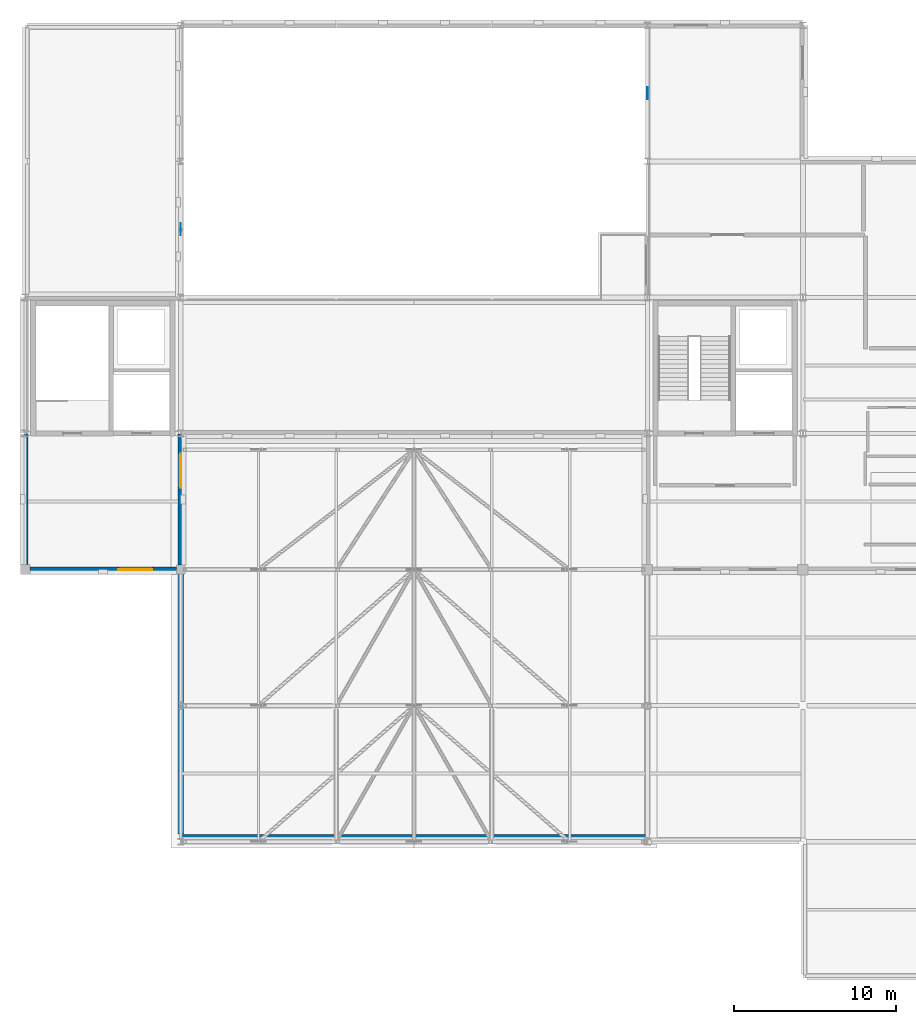
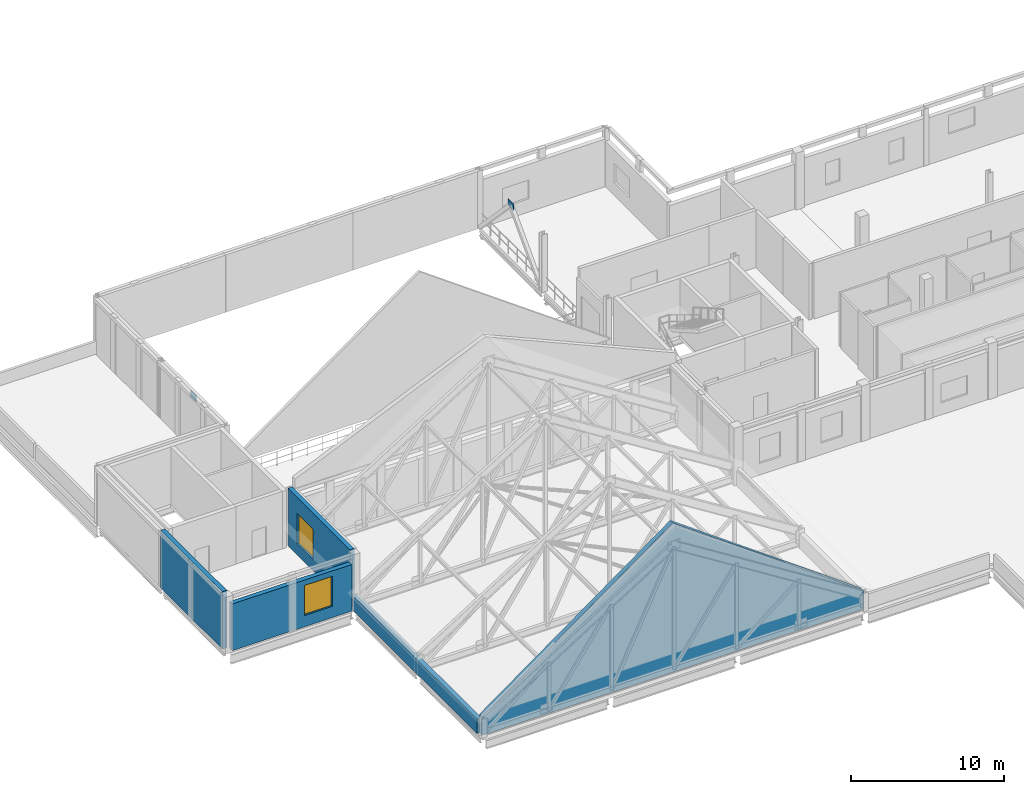
# One storey, part 21 of 26: 5 walls, 2 plates, 2 windows, 2 openings.
"""IFC4 building model written with IfcOpenShell, lengths in metres."""

from ifc_helpers import new_model, si_unit, direction, frame, frame_2d, origin, origin_2d, place, context, subcontext, project, spatial, polyline, rectangle, outline, extrude, material, layer, layer_set, type_object, element, fill, save


model = new_model("IFC4")

# Units and contexts
model_context = context("Model", 3, precision=1e-05, world=origin(), true_north=direction((0.0, 1.0)))
body_context = subcontext(model_context, "Body", "Model", "MODEL_VIEW")
ifc_project = project(units=[si_unit("LENGTHUNIT", "METRE"), si_unit("AREAUNIT", "SQUARE_METRE"), si_unit("VOLUMEUNIT", "CUBIC_METRE"), si_unit("PLANEANGLEUNIT", "RADIAN"), si_unit("MASSUNIT", "GRAM", prefix="KILO")], contexts=[model_context])

# Site, building, storey
site_placement = place(None, origin())
site = spatial("IfcSite", under=ifc_project, at=site_placement, CompositionType="ELEMENT")
building_placement = place(site_placement, origin())
building = spatial("IfcBuilding", under=site, at=building_placement, Name="Lornevale Opera House", CompositionType="ELEMENT")
storey_placement = place(building_placement, frame((0.0, 0.0, 19.800048828125)))
storey = spatial("IfcBuildingStorey", under=building, at=storey_placement, Name="L05", CompositionType="ELEMENT", Elevation=19.800048828125)

# Plates
ifc_material_1 = material(Name="Structural Steel CSA G40.21 Grade 350W (350 MPa)", Category="steel")
ifc_layer_1 = layer(ifc_material_1, 0.02392578125)
ifc_layer_set_1 = layer_set([ifc_layer_1], Name="Structural Steel CSA G40.21 Grade 350W (350 MPa)")
plate_type = type_object("IfcPlateType", Name="Chevron Brace Gusset 720x550x24", PredefinedType="USERDEFINED", material=ifc_layer_set_1)
for number, where, z_axis, x_axis, name in (
    (1, (67.199951171875, 71.39990234375, 3.955078125), (0.0, 0.0, 1.0), (0.0, 1.0, 0.0), "Chevron Brace Gusset PT-0057"),
    (2, (96.0, 79.800048828125, 4.02490234375), (0.0, 0.0, 1.0), (0.0, 1.0, 0.0), "Chevron Brace Gusset PT-0063"),
):
    element("IfcPlate", number, at=place(storey_placement, frame(where, z_axis=z_axis, x_axis=x_axis)), inside=storey, type_object=plate_type, Name=name, ObjectType="GUSSET PLATE", PredefinedType="USERDEFINED", context=body_context, shape_type="SweptSolid", body=[
        extrude(rectangle(XDim=0.719970703125, YDim=0.02392578125, at=origin_2d()), origin(), (0.0, 0.0, 1.0), 0.550048828125),
    ])

# Wall, opening, window
ifc_material_2 = material(Name="Credit Valley Sandstone Ashlar Masonry (25 MPa)", Category="masonry")
ifc_layer_2 = layer(ifc_material_2, 0.340087890625)
ifc_layer_set_2 = layer_set([ifc_layer_2], Name="Credit Valley Sandstone Ashlar Masonry (25 MPa)")
wall_type = type_object("IfcWallType", Name="Polychrome Drum Cavity Wall 340", PredefinedType="SOLIDWALL", material=ifc_layer_set_2)
wall_1_placement = place(storey_placement, frame((66.925048828125, 50.39990234375, 0.0), z_axis=(0.0, 0.0, 1.0), x_axis=(-1.0, 0.0, 0.0)))
wall_1 = element("IfcWall", 3, at=wall_1_placement, inside=storey, type_object=wall_type, Name="Polychrome Drum Cavity Wall 340 WL-EXT-0266", PredefinedType="SOLIDWALL", context=body_context, shape_type="SweptSolid", body=[
    extrude(rectangle(XDim=9.025146484375, YDim=0.340087890625, at=frame_2d((4.5126953125, 0.0))), origin(), (0.0, 0.0, 1.0), 3.72900390625),
])
opening_1_placement = place(wall_1_placement, frame((1.47705078125, 0.0, 0.89990234375)))
opening_1 = element("IfcOpeningElement", 4, at=opening_1_placement, cuts=wall_1, Name="Opening WN-T04", PredefinedType="OPENING", context=body_context, shape_type="SweptSolid", body=[
    extrude(rectangle(XDim=2.10009765625, YDim=2.39990234375, at=frame_2d((1.050048828125, 1.199951171875))), frame((0.0, 0.179931640625, 0.0), z_axis=(0.0, -1.0, 0.0), x_axis=(1.0, 0.0, 0.0)), (0.0, 0.0, 1.0), 0.360107421875),
])
ifc_material_3 = material(Name="Triple Low-E Insulated Glazing", Category="glass")
ifc_layer_3 = layer(ifc_material_3, 0.06005859375)
ifc_layer_set_3 = layer_set([ifc_layer_3], Name="Triple Low-E Insulated Glazing")
window_type = type_object("IfcWindowType", Name="Punched Deep-Reveal Window 2100x2400", PartitioningType="NOTDEFINED", PredefinedType="WINDOW", material=ifc_layer_set_3)
window_1_placement = place(opening_1_placement, origin())
window_1 = element("IfcWindow", 5, at=window_1_placement, inside=storey, type_object=window_type, Name="Punched Deep-Reveal Window 2100x2400 WN-0109", OverallHeight=2.39990234375, OverallWidth=2.10009765625, PartitioningType="SINGLE_PANEL", PredefinedType="WINDOW", context=body_context, shape_type="SweptSolid", body=[
    extrude(rectangle(XDim=2.10009765625, YDim=2.39990234375, at=frame_2d((1.050048828125, 1.199951171875))), frame((0.0, 0.030029296875, 0.0), z_axis=(0.0, -1.0, 0.0), x_axis=(1.0, 0.0, 0.0)), (0.0, 0.0, 1.0), 0.06005859375),
])
fill(opening_1, window_1)

# Wall
wall_2_placement = place(storey_placement, frame((57.60009765625, 50.699951171875, 0.0), z_axis=(0.0, 0.0, 1.0), x_axis=(0.0, 1.0, 0.0)))
element("IfcWall", 6, at=wall_2_placement, inside=storey, type_object=wall_type, Name="Polychrome Drum Cavity Wall 340 WL-EXT-0267", PredefinedType="SOLIDWALL", context=body_context, shape_type="SweptSolid", body=[
    extrude(rectangle(XDim=8.080078125, YDim=0.340087890625, at=frame_2d((4.0400390625, 0.0))), origin(), (0.0, 0.0, 1.0), 4.579833984375),
])

# Wall, opening, window
wall_3_placement = place(storey_placement, frame((67.199951171875, 58.780029296875, 0.0), z_axis=(0.0, 0.0, 1.0), x_axis=(0.0, -1.0, 0.0)))
wall_3 = element("IfcWall", 7, at=wall_3_placement, inside=storey, type_object=wall_type, Name="Polychrome Drum Cavity Wall 340 WL-EXT-0268", PredefinedType="SOLIDWALL", context=body_context, shape_type="SweptSolid", body=[
    extrude(rectangle(XDim=8.10498046875, YDim=0.340087890625, at=frame_2d((4.052490234375, 0.0))), origin(), (0.0, 0.0, 1.0), 4.579833984375),
])
opening_2_placement = place(wall_3_placement, frame((1.218994140625, 0.0, 0.89990234375)))
opening_2 = element("IfcOpeningElement", 8, at=opening_2_placement, cuts=wall_3, Name="Opening WN-T04", PredefinedType="OPENING", context=body_context, shape_type="SweptSolid", body=[
    extrude(rectangle(XDim=2.10009765625, YDim=2.39990234375, at=frame_2d((1.050048828125, 1.199951171875))), frame((0.0, 0.179931640625, 0.0), z_axis=(0.0, -1.0, 0.0), x_axis=(1.0, 0.0, 0.0)), (0.0, 0.0, 1.0), 0.360107421875),
])
window_2_placement = place(opening_2_placement, origin())
window_2 = element("IfcWindow", 9, at=window_2_placement, inside=storey, type_object=window_type, Name="Punched Deep-Reveal Window 2100x2400 WN-0110", OverallHeight=2.39990234375, OverallWidth=2.10009765625, PartitioningType="SINGLE_PANEL", PredefinedType="WINDOW", context=body_context, shape_type="SweptSolid", body=[
    extrude(rectangle(XDim=2.10009765625, YDim=2.39990234375, at=frame_2d((1.050048828125, 1.199951171875))), frame((0.0, 0.030029296875, 0.0), z_axis=(0.0, -1.0, 0.0), x_axis=(1.0, 0.0, 0.0)), (0.0, 0.0, 1.0), 0.06005859375),
])
fill(opening_2, window_2)

# Walls
wall_4_placement = place(storey_placement, frame((67.219970703125, 33.889892578125, 0.0), z_axis=(0.0, 0.0, 1.0), x_axis=(1.0, 0.0, 0.0)))
element("IfcWall", 10, at=wall_4_placement, inside=storey, type_object=wall_type, Name="Auditorium Attic Gable Wall WL-ATT-0381", PredefinedType="SOLIDWALL", context=body_context, shape_type="SweptSolid", body=[
    extrude(outline(polyline([(0.0, 0.0), (28.760009765625, 0.0), (28.760009765625, 1.5), (14.3798828125, 11.919921875), (0.0, 1.5), (0.0, 0.0)])), frame((0.0, 0.169921875, 0.0), z_axis=(0.0, -1.0, 0.0), x_axis=(1.0, 0.0, 0.0)), (0.0, 0.0, 1.0), 0.340087890625),
])
wall_5_placement = place(storey_placement, frame((67.199951171875, 50.360107421875, 0.0), z_axis=(0.0, 0.0, 1.0), x_axis=(0.0, -1.0, 0.0)))
element("IfcWall", 11, at=wall_5_placement, inside=storey, type_object=wall_type, Name="Auditorium Attic Gable Wall WL-ATT-0383", PredefinedType="SOLIDWALL", context=body_context, shape_type="SweptSolid", body=[
    extrude(rectangle(XDim=16.2900390625, YDim=0.340087890625, at=frame_2d((8.14501953125, 0.0))), origin(), (0.0, 0.0, 1.0), 1.1484375),
])

save(model, "model.ifc")
